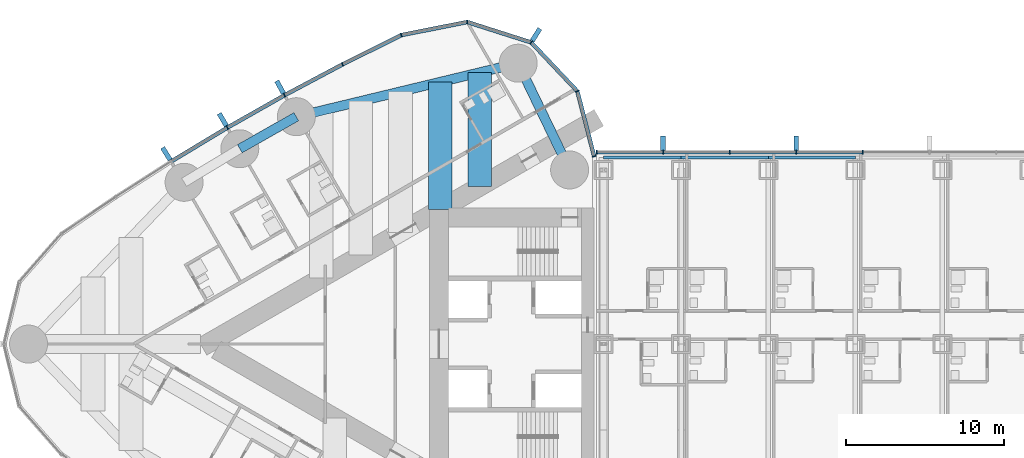
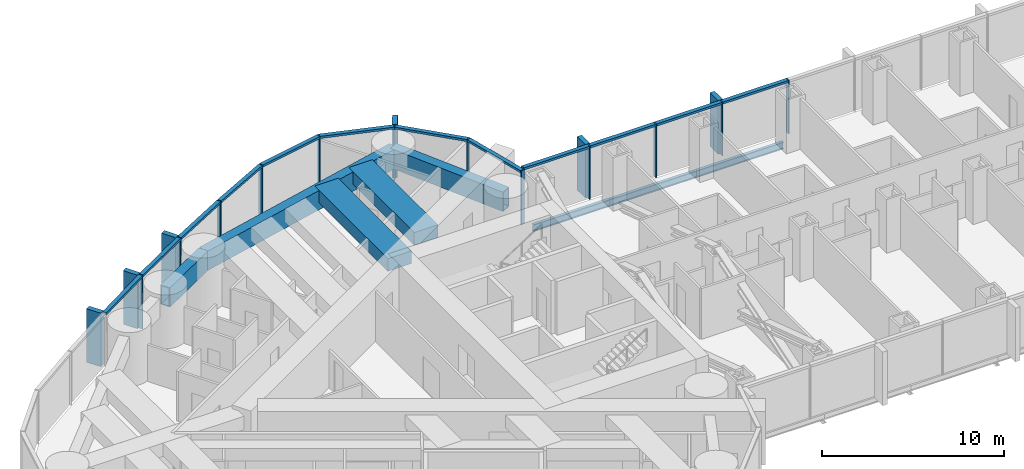
# One storey, part 5 of 23: 31 members, 8 beams, 2 elements without a shape of their own.
"""IFC4 building model written with IfcOpenShell, lengths in metres."""

import ifcopenshell
import ifcopenshell.guid

model = None  # the IFC model being written
_history = None  # IfcOwnerHistory: only IFC2X3 demands one
_inside = {}  # id of a spatial element -> (the spatial element, [elements in it])
_under = {}  # id of a project, library or spatial element -> (it, [spatial elements below it])
_declared = {}  # id of a project -> (the project, [libraries it declares])
_typed = {}  # id of a type object -> (the type object, [elements of that type])
_made_of = {}  # id of a material, layer set ... -> (it, [elements and type objects made of it])


def new_model(schema):
    """Start an empty IFC model of exactly this schema.

    Asked for "IFC4X3", IfcOpenShell would pick the latest addendum, in which some entities
    have other attributes; the version numbers below select the first issue.
    IFC2X3 requires an IfcOwnerHistory on every rooted entity: one is made here for all.
    """
    global model, _history
    if schema == "IFC4X3":
        model = ifcopenshell.file(schema_version=(4, 3, 0, 0))
    else:
        model = ifcopenshell.file(schema=schema)
    _inside.clear()
    _under.clear()
    _declared.clear()
    _typed.clear()
    _made_of.clear()
    _history = None
    if model.schema == "IFC2X3":
        org = make("IfcOrganization", Name="unknown")
        user = make(
            "IfcPersonAndOrganization",
            ThePerson=make("IfcPerson", FamilyName="unknown"),
            TheOrganization=org,
        )
        app = make(
            "IfcApplication",
            ApplicationDeveloper=org,
            Version="unknown",
            ApplicationFullName="unknown",
            ApplicationIdentifier="unknown",
        )
        _history = make(
            "IfcOwnerHistory",
            OwningUser=user,
            OwningApplication=app,
            ChangeAction="ADDED",
            CreationDate=0,
        )
    return model


def make(cls, **values):
    """One entity of the class cls with the attributes given. An attribute that is None is left unset."""
    return model.create_entity(
        cls, **{name: value for name, value in values.items() if value is not None}
    )


def rooted(cls, **values):
    """An entity with a GlobalId (a new one), such as an element, a storey or a relation."""
    return make(cls, GlobalId=ifcopenshell.guid.new(), OwnerHistory=_history, **values)


def si_unit(unit_type, name, prefix=None):
    """IfcSIUnit, for example si_unit("LENGTHUNIT", "METRE", prefix="MILLI")."""
    return make("IfcSIUnit", UnitType=unit_type, Prefix=prefix, Name=name)


def assignment(units):
    """IfcUnitAssignment: the units of a project."""
    return None if units is None else make("IfcUnitAssignment", Units=units)


def point(xyz):
    """IfcCartesianPoint."""
    return None if xyz is None else make("IfcCartesianPoint", Coordinates=xyz)


def direction(xyz):
    """IfcDirection."""
    return None if xyz is None else make("IfcDirection", DirectionRatios=xyz)


def frame(location, z_axis=None, x_axis=None):
    """IfcAxis2Placement3D, a coordinate frame: its origin and axes. An axis left out is left unset."""
    return make(
        "IfcAxis2Placement3D",
        Location=point(location),
        Axis=direction(z_axis),
        RefDirection=direction(x_axis),
    )


def frame_2d(location, x_axis=None):
    """IfcAxis2Placement2D, a coordinate frame in the plane: its origin and x axis."""
    return make(
        "IfcAxis2Placement2D", Location=point(location), RefDirection=direction(x_axis)
    )


def origin():
    """The frame at (0, 0, 0) with its axes left unset."""
    return frame((0.0, 0.0, 0.0))


def origin_2d():
    """The frame at (0, 0) in the plane with its x axis left unset."""
    return frame_2d((0.0, 0.0))


def place(relative_to, where):
    """IfcLocalPlacement: puts the frame where relative to a parent placement (None: the world)."""
    return make(
        "IfcLocalPlacement", PlacementRelTo=relative_to, RelativePlacement=where
    )


def context(
    kind, dimensions, precision=None, world=None, true_north=None, identifier=None
):
    """IfcGeometricRepresentationContext, for example the 3D "Model" context."""
    return make(
        "IfcGeometricRepresentationContext",
        ContextIdentifier=identifier,
        ContextType=kind,
        CoordinateSpaceDimension=dimensions,
        Precision=precision,
        WorldCoordinateSystem=world,
        TrueNorth=true_north,
    )


def subcontext(parent, identifier, kind, view, scale=None):
    """IfcGeometricRepresentationSubContext, for example "Body" below "Model"."""
    return make(
        "IfcGeometricRepresentationSubContext",
        ContextIdentifier=identifier,
        ContextType=kind,
        ParentContext=parent,
        TargetScale=scale,
        TargetView=view,
    )


def project(units=None, contexts=None):
    """IfcProject with its units and contexts."""
    return rooted(
        "IfcProject",
        Name="project",
        RepresentationContexts=contexts,
        UnitsInContext=assignment(units),
    )


def spatial(cls, under=None, at=None, **own):
    """A site, building, storey or space (cls), placed at a placement, below another one or the project."""
    s = rooted(cls, ObjectPlacement=at, **own)
    if under is not None:
        _under.setdefault(under.id(), (under, []))[1].append(s)
    return s


def profile(cls, at=None, kind="AREA", **sizes):
    """A parametric profile (cls). Its sizes go by their IFC names, for example OverallWidth=200.0."""
    return make(cls, ProfileType=kind, Position=at, **sizes)


def rectangle(**sizes):
    """IfcRectangleProfileDef."""
    return profile("IfcRectangleProfileDef", **sizes)


def hollow_rectangle(**sizes):
    """IfcRectangleHollowProfileDef."""
    return profile("IfcRectangleHollowProfileDef", **sizes)


def i_section(**sizes):
    """IfcIShapeProfileDef."""
    return profile("IfcIShapeProfileDef", **sizes)


def extrude(swept, where, along, depth):
    """IfcExtrudedAreaSolid: the profile swept, set in the frame where, extruded along a direction by depth."""
    return make(
        "IfcExtrudedAreaSolid",
        SweptArea=swept,
        Position=where,
        ExtrudedDirection=direction(along),
        Depth=depth,
    )


def shape(context_of_items, identifier, shape_type, items):
    """IfcShapeRepresentation: the items that make up one representation, for example the "Body"."""
    return make(
        "IfcShapeRepresentation",
        ContextOfItems=context_of_items,
        RepresentationIdentifier=identifier,
        RepresentationType=shape_type,
        Items=items,
    )


def material(Name=None, Category=None):
    """IfcMaterial."""
    return make("IfcMaterial", Name=Name, Category=Category)


def material_profile(
    of_material, cross_section, Name=None, Category=None, Priority=None
):
    """IfcMaterialProfile: a cross section and its material."""
    return make(
        "IfcMaterialProfile",
        Name=Name,
        Material=of_material,
        Profile=cross_section,
        Priority=Priority,
        Category=Category,
    )


def profile_set(profiles, Name=None, composite=None):
    """IfcMaterialProfileSet."""
    return make(
        "IfcMaterialProfileSet",
        Name=Name,
        MaterialProfiles=profiles,
        CompositeProfile=composite,
    )


def made_of(thing, what):
    """Note that an element or type object is made of a material, layer set ...; save() writes the relation."""
    if what is not None:
        _made_of.setdefault(what.id(), (what, []))[1].append(thing)
    return thing


def type_object(cls, material=None, **own):
    """A type object (cls), such as IfcWallType, which elements share."""
    return made_of(rooted(cls, **own), material)


def element(
    cls,
    number,
    at=None,
    inside=None,
    cuts=None,
    type_object=None,
    material=None,
    context=None,
    identifier="Body",
    shape_type=None,
    held_by="IfcProductDefinitionShape",
    body=None,
    shapes=None,
    **own,
):
    """One element of the class cls, such as IfcWall. Its Tag is "e" and its number.

    at: its placement. inside: the storey or other place that contains it. cuts: it is an
    opening in that element (IfcRelVoidsElement). A single representation is given by context,
    identifier, shape_type and body (its items); several are given by shapes. held_by: the class
    of the entity that holds the representations. save() writes the other relations.
    """
    e = rooted(cls, Tag="e%d" % number, ObjectPlacement=at, **own)
    if body is not None:
        shapes = [shape(context, identifier, shape_type, body)]
    if shapes is not None:
        e.Representation = make(held_by, Representations=shapes)
    if inside is not None:
        _inside.setdefault(inside.id(), (inside, []))[1].append(e)
    if cuts is not None:
        rooted(
            "IfcRelVoidsElement", RelatingBuildingElement=cuts, RelatedOpeningElement=e
        )
    if type_object is not None:
        _typed.setdefault(type_object.id(), (type_object, []))[1].append(e)
    return made_of(e, material)


def aggregate(whole, parts):
    """IfcRelAggregates: a whole, such as a stair, and the parts it consists of."""
    return rooted("IfcRelAggregates", RelatingObject=whole, RelatedObjects=parts)


def save(model, path):
    """Write the relations noted so far, then the file.

    IfcRelAggregates (storeys below a building ...), IfcRelContainedInSpatialStructure (elements
    in a storey), IfcRelDefinesByType, IfcRelAssociatesMaterial and IfcRelDeclares: one each for
    every whole, place, type object, material and project.
    """
    for whole, parts in _under.values():
        aggregate(whole, parts)
    for where, things in _inside.values():
        rooted(
            "IfcRelContainedInSpatialStructure",
            RelatedElements=things,
            RelatingStructure=where,
        )
    for kind, things in _typed.values():
        rooted("IfcRelDefinesByType", RelatedObjects=things, RelatingType=kind)
    for what, things in _made_of.values():
        rooted("IfcRelAssociatesMaterial", RelatedObjects=things, RelatingMaterial=what)
    for by, libraries in _declared.values():
        rooted("IfcRelDeclares", RelatingContext=by, RelatedDefinitions=libraries)
    model.write(path)


model = new_model("IFC4")

# Units and contexts
model_context = context("Model", 3, precision=1e-05, world=origin(), true_north=direction((0.0, 1.0)))
body_context = subcontext(model_context, "Body", "Model", "MODEL_VIEW")
ifc_project = project(units=[si_unit("LENGTHUNIT", "METRE"), si_unit("AREAUNIT", "SQUARE_METRE"), si_unit("VOLUMEUNIT", "CUBIC_METRE"), si_unit("PLANEANGLEUNIT", "RADIAN"), si_unit("MASSUNIT", "GRAM", prefix="KILO")], contexts=[model_context])

# Site, building, storey
site_placement = place(None, origin())
site = spatial("IfcSite", under=ifc_project, at=site_placement, CompositionType="ELEMENT")
building_placement = place(site_placement, origin())
building = spatial("IfcBuilding", under=site, at=building_placement, Name="Lancet Gate Hotel", CompositionType="ELEMENT")
storey_placement = place(building_placement, frame((0.0, 0.0, 215.300048828125)))
storey = spatial("IfcBuildingStorey", under=building, at=storey_placement, Name="L57", CompositionType="ELEMENT", Elevation=215.300048828125)

# Curtain wall, members
ifc_material_1 = material(Name="Aluminium curtain wall", Category="aluminium")
curtain_wall_type_1 = type_object("IfcCurtainWallType", Name="Tower unitised curtain wall", PredefinedType="USERDEFINED", material=ifc_material_1)
curtain_wall_1_placement = place(storey_placement, origin())
curtain_wall_1 = element("IfcCurtainWall", 1, at=curtain_wall_1_placement, inside=storey, type_object=curtain_wall_type_1, Name="T1 L57 curtain wall 1", ObjectType="UNITISED CURTAIN WALL", PredefinedType="USERDEFINED")
ifc_material_2 = material(Name="Aluminium mullion", Category="aluminium")
ifc_material_profile_1 = material_profile(ifc_material_2, rectangle(XDim=0.06494140625, YDim=0.25, at=origin_2d()), Name="MULLION 65x250")
ifc_profile_set_1 = profile_set([ifc_material_profile_1], Name="Aluminium mullion")
member_type_1 = type_object("IfcMemberType", Name="Aluminium mullion 65x250", PredefinedType="MULLION", material=ifc_profile_set_1)
member_1_placement = place(storey_placement, frame((-27.5, 11.861572265625, 0.0), z_axis=(0.0, 0.0, 1.0), x_axis=(-0.249725827997, 0.968316586056, 0.0)))
member_1 = element("IfcMember", 2, at=member_1_placement, type_object=member_type_1, Name="T1 L57 curtain wall 1 mullion 1", PredefinedType="MULLION", context=body_context, shape_type="SweptSolid", body=[
    extrude(rectangle(XDim=0.06494140625, YDim=0.25, at=origin_2d()), origin(), (0.0, 0.0, 1.0), 3.599853515625),
])
member_2_placement = place(storey_placement, frame((-28.56005859375, 15.97216796875, 0.0), z_axis=(0.0, 0.0, 1.0), x_axis=(-0.483627322447, 0.875274021654, 0.0)))
member_2 = element("IfcMember", 3, at=member_2_placement, type_object=member_type_1, Name="T1 L57 curtain wall 1 mullion 2", PredefinedType="MULLION", context=body_context, shape_type="SweptSolid", body=[
    extrude(rectangle(XDim=0.06494140625, YDim=0.25, at=origin_2d()), origin(), (0.0, 0.0, 1.0), 3.599853515625),
])
member_3_placement = place(storey_placement, frame((-31.476318359375, 19.0576171875, 0.0), z_axis=(0.0, 0.0, 1.0), x_axis=(-0.846612863, 0.532209225966, 0.0)))
member_3 = element("IfcMember", 4, at=member_3_placement, type_object=member_type_1, Name="T1 L57 curtain wall 1 mullion 3", PredefinedType="MULLION", context=body_context, shape_type="SweptSolid", body=[
    extrude(rectangle(XDim=0.06494140625, YDim=0.25, at=origin_2d()), origin(), (0.0, 0.0, 1.0), 3.599853515625),
])
member_4_placement = place(storey_placement, frame((-35.520751953125, 20.347900390625, 0.0), z_axis=(0.0, 0.0, 1.0), x_axis=(-0.998409168318, 0.056383797491, 0.0)))
member_4 = element("IfcMember", 5, at=member_4_placement, type_object=member_type_1, Name="T1 L57 curtain wall 1 mullion 4", PredefinedType="MULLION", context=body_context, shape_type="SweptSolid", body=[
    extrude(rectangle(XDim=0.06494140625, YDim=0.25, at=origin_2d()), origin(), (0.0, 0.0, 1.0), 3.599853515625),
])
member_5_placement = place(storey_placement, frame((-39.684814453125, 19.521240234375, 0.0), z_axis=(0.0, 0.0, 1.0), x_axis=(-0.946887706423, -0.321564412561, 0.0)))
member_5 = element("IfcMember", 6, at=member_5_placement, type_object=member_type_1, Name="T1 L57 curtain wall 1 mullion 5", PredefinedType="MULLION", context=body_context, shape_type="SweptSolid", body=[
    extrude(rectangle(XDim=0.06494140625, YDim=0.25, at=origin_2d()), origin(), (0.0, 0.0, 1.0), 3.599853515625),
])
member_6_placement = place(storey_placement, frame((-43.3994140625, 17.67236328125, 0.0), z_axis=(0.0, 0.0, 1.0), x_axis=(-0.889155526065, -0.457605125046, 0.0)))
member_6 = element("IfcMember", 7, at=member_6_placement, type_object=member_type_1, Name="T1 L57 curtain wall 1 mullion 6", PredefinedType="MULLION", context=body_context, shape_type="SweptSolid", body=[
    extrude(rectangle(XDim=0.06494140625, YDim=0.25, at=origin_2d()), origin(), (0.0, 0.0, 1.0), 3.599853515625),
])
member_7_placement = place(storey_placement, frame((-47.062744140625, 15.72412109375, 0.0), z_axis=(0.0, 0.0, 1.0), x_axis=(-0.876516407283, -0.481371984815, 0.0)))
member_7 = element("IfcMember", 8, at=member_7_placement, type_object=member_type_1, Name="T1 L57 curtain wall 1 mullion 7", PredefinedType="MULLION", context=body_context, shape_type="SweptSolid", body=[
    extrude(rectangle(XDim=0.06494140625, YDim=0.25, at=origin_2d()), origin(), (0.0, 0.0, 1.0), 3.599853515625),
])
member_8_placement = place(storey_placement, frame((-50.67236328125, 13.677978515625, 0.0), z_axis=(0.0, 0.0, 1.0), x_axis=(-0.863242155108, -0.504790037189, 0.0)))
member_8 = element("IfcMember", 9, at=member_8_placement, type_object=member_type_1, Name="T1 L57 curtain wall 1 mullion 8", PredefinedType="MULLION", context=body_context, shape_type="SweptSolid", body=[
    extrude(rectangle(XDim=0.06494140625, YDim=0.25, at=origin_2d()), origin(), (0.0, 0.0, 1.0), 3.599853515625),
])

ifc_material_3 = material(Name="Aluminium curtain wall", Category="aluminium")
curtain_wall_type_2 = type_object("IfcCurtainWallType", Name="Bridge block curtain wall", PredefinedType="USERDEFINED", material=ifc_material_3)
curtain_wall_2_placement = place(storey_placement, origin())
curtain_wall_2 = element("IfcCurtainWall", 10, at=curtain_wall_2_placement, inside=storey, type_object=curtain_wall_type_2, Name="Bridge block L57 curtain wall N", ObjectType="UNITISED CURTAIN WALL", PredefinedType="USERDEFINED")
member_9_placement = place(storey_placement, frame((-10.519287109375, 12.1201171875, 0.0), z_axis=(0.0, 0.0, 1.0), x_axis=(-1.0, 0.0, 0.0)))
member_9 = element("IfcMember", 11, at=member_9_placement, type_object=member_type_1, Name="Bridge block L57 curtain wall N mullion 10", PredefinedType="MULLION", context=body_context, shape_type="SweptSolid", body=[
    extrude(rectangle(XDim=0.06494140625, YDim=0.25, at=origin_2d()), origin(), (0.0, 0.0, 1.0), 3.599853515625),
])
member_10_placement = place(storey_placement, frame((-14.726806640625, 12.1201171875, 0.0), z_axis=(0.0, 0.0, 1.0), x_axis=(-1.0, 0.0, 0.0)))
member_10 = element("IfcMember", 12, at=member_10_placement, type_object=member_type_1, Name="Bridge block L57 curtain wall N mullion 11", PredefinedType="MULLION", context=body_context, shape_type="SweptSolid", body=[
    extrude(rectangle(XDim=0.06494140625, YDim=0.25, at=origin_2d()), origin(), (0.0, 0.0, 1.0), 3.599853515625),
])
member_11_placement = place(storey_placement, frame((-18.9345703125, 12.1201171875, 0.0), z_axis=(0.0, 0.0, 1.0), x_axis=(-1.0, 0.0, 0.0)))
member_11 = element("IfcMember", 13, at=member_11_placement, type_object=member_type_1, Name="Bridge block L57 curtain wall N mullion 12", PredefinedType="MULLION", context=body_context, shape_type="SweptSolid", body=[
    extrude(rectangle(XDim=0.06494140625, YDim=0.25, at=origin_2d()), origin(), (0.0, 0.0, 1.0), 3.599853515625),
])
member_12_placement = place(storey_placement, frame((-23.142333984375, 12.1201171875, 0.0), z_axis=(0.0, 0.0, 1.0), x_axis=(-1.0, 0.0, 0.0)))
member_12 = element("IfcMember", 14, at=member_12_placement, type_object=member_type_1, Name="Bridge block L57 curtain wall N mullion 13", PredefinedType="MULLION", context=body_context, shape_type="SweptSolid", body=[
    extrude(rectangle(XDim=0.06494140625, YDim=0.25, at=origin_2d()), origin(), (0.0, 0.0, 1.0), 3.599853515625),
])
member_13_placement = place(storey_placement, frame((-27.35009765625, 12.1201171875, 0.0), z_axis=(0.0, 0.0, 1.0), x_axis=(-1.0, 0.0, 0.0)))
member_13 = element("IfcMember", 15, at=member_13_placement, type_object=member_type_1, Name="Bridge block L57 curtain wall N mullion 14", PredefinedType="MULLION", context=body_context, shape_type="SweptSolid", body=[
    extrude(rectangle(XDim=0.06494140625, YDim=0.25, at=origin_2d()), origin(), (0.0, 0.0, 1.0), 3.599853515625),
])

# Member
ifc_material_4 = material(Name="Aluminium transom", Category="aluminium")
ifc_material_profile_2 = material_profile(ifc_material_4, rectangle(XDim=0.25, YDim=0.14990234375, at=origin_2d()), Name="TRANSOM 250x150")
ifc_profile_set_2 = profile_set([ifc_material_profile_2], Name="Aluminium transom")
member_type_2 = type_object("IfcMemberType", Name="Aluminium transom 250x150", PredefinedType="USERDEFINED", material=ifc_profile_set_2)
member_14_placement = place(storey_placement, frame((-27.508056640625, 11.892822265625, 3.52490234375), z_axis=(-0.249715522936, 0.968319243641, 0.0), x_axis=(-0.968319243641, -0.249715522936, 0.0)))
member_14 = element("IfcMember", 16, at=member_14_placement, type_object=member_type_2, Name="T1 L57 curtain wall 1 transom 1", ObjectType="TRANSOM", PredefinedType="USERDEFINED", context=body_context, shape_type="SweptSolid", body=[
    extrude(rectangle(XDim=0.25, YDim=0.14990234375, at=origin_2d()), origin(), (0.0, 0.0, 1.0), 4.180419921875),
])

member_15_placement = place(storey_placement, frame((-28.58251953125, 15.995849609375, 3.52490234375), z_axis=(-0.686880731091, 0.726770157103, 0.0), x_axis=(-0.726770157103, -0.686880731091, 0.0)))
member_15 = element("IfcMember", 17, at=member_15_placement, type_object=member_type_2, Name="T1 L57 curtain wall 1 transom 2", ObjectType="TRANSOM", PredefinedType="USERDEFINED", context=body_context, shape_type="SweptSolid", body=[
    extrude(rectangle(XDim=0.25, YDim=0.14990234375, at=origin_2d()), origin(), (0.0, 0.0, 1.0), 4.18017578125),
])

member_16_placement = place(storey_placement, frame((-31.507080078125, 19.067626953125, 3.52490234375), z_axis=(-0.952697713775, 0.303919506068, 0.0), x_axis=(-0.303919506068, -0.952697713775, 0.0)))
member_16 = element("IfcMember", 18, at=member_16_placement, type_object=member_type_2, Name="T1 L57 curtain wall 1 transom 3", ObjectType="TRANSOM", PredefinedType="USERDEFINED", context=body_context, shape_type="SweptSolid", body=[
    extrude(rectangle(XDim=0.25, YDim=0.14990234375, at=origin_2d()), origin(), (0.0, 0.0, 1.0), 4.180419921875),
])

member_17_placement = place(storey_placement, frame((-35.552734375, 20.341552734375, 3.52490234375), z_axis=(-0.980858234867, -0.194723196085, 0.0), x_axis=(0.194723196085, -0.980858234867, 0.0)))
member_17 = element("IfcMember", 19, at=member_17_placement, type_object=member_type_2, Name="T1 L57 curtain wall 1 transom 4", ObjectType="TRANSOM", PredefinedType="USERDEFINED", context=body_context, shape_type="SweptSolid", body=[
    extrude(rectangle(XDim=0.25, YDim=0.14990234375, at=origin_2d()), origin(), (0.0, 0.0, 1.0), 4.18017578125),
])

member_18_placement = place(storey_placement, frame((-39.7138671875, 19.5068359375, 3.52490234375), z_axis=(-0.895226720479, -0.445610950202, 0.0), x_axis=(0.445610950202, -0.895226720479, 0.0)))
member_18 = element("IfcMember", 20, at=member_18_placement, type_object=member_type_2, Name="T1 L57 curtain wall 1 transom 5", ObjectType="TRANSOM", PredefinedType="USERDEFINED", context=body_context, shape_type="SweptSolid", body=[
    extrude(rectangle(XDim=0.25, YDim=0.14990234375, at=origin_2d()), origin(), (0.0, 0.0, 1.0), 4.08447265625),
])

member_19_placement = place(storey_placement, frame((-43.427978515625, 17.656982421875, 3.52490234375), z_axis=(-0.882944619844, -0.469477154171, 0.0), x_axis=(0.469477154171, -0.882944619844, 0.0)))
member_19 = element("IfcMember", 21, at=member_19_placement, type_object=member_type_2, Name="T1 L57 curtain wall 1 transom 6", ObjectType="TRANSOM", PredefinedType="USERDEFINED", context=body_context, shape_type="SweptSolid", body=[
    extrude(rectangle(XDim=0.25, YDim=0.14990234375, at=origin_2d()), origin(), (0.0, 0.0, 1.0), 4.084228515625),
])

member_20_placement = place(storey_placement, frame((-47.091064453125, 15.7080078125, 3.52490234375), z_axis=(-0.869977740049, -0.493090997503, 0.0), x_axis=(0.493090997503, -0.869977740049, 0.0)))
member_20 = element("IfcMember", 22, at=member_20_placement, type_object=member_type_2, Name="T1 L57 curtain wall 1 transom 7", ObjectType="TRANSOM", PredefinedType="USERDEFINED", context=body_context, shape_type="SweptSolid", body=[
    extrude(rectangle(XDim=0.25, YDim=0.14990234375, at=origin_2d()), origin(), (0.0, 0.0, 1.0), 4.084228515625),
])

member_21_placement = place(storey_placement, frame((-50.7001953125, 13.661376953125, 3.52490234375), z_axis=(-0.856362214892, -0.516375596737, 0.0), x_axis=(0.516375596737, -0.856362214892, 0.0)))
member_21 = element("IfcMember", 23, at=member_21_placement, type_object=member_type_2, Name="T1 L57 curtain wall 1 transom 8", ObjectType="TRANSOM", PredefinedType="USERDEFINED", context=body_context, shape_type="SweptSolid", body=[
    extrude(rectangle(XDim=0.25, YDim=0.14990234375, at=origin_2d()), origin(), (0.0, 0.0, 1.0), 4.08447265625),
])

member_22_placement = place(storey_placement, frame((-10.5517578125, 12.1201171875, 3.52490234375), z_axis=(-1.0, 0.0, 0.0), x_axis=(0.0, -1.0, 0.0)))
member_22 = element("IfcMember", 24, at=member_22_placement, type_object=member_type_2, Name="Bridge block L57 curtain wall N transom 10", ObjectType="TRANSOM", PredefinedType="USERDEFINED", context=body_context, shape_type="SweptSolid", body=[
    extrude(rectangle(XDim=0.25, YDim=0.14990234375, at=origin_2d()), origin(), (0.0, 0.0, 1.0), 4.142578125),
])

member_23_placement = place(storey_placement, frame((-14.759521484375, 12.1201171875, 3.52490234375), z_axis=(-1.0, 0.0, 0.0), x_axis=(0.0, -1.0, 0.0)))
member_23 = element("IfcMember", 25, at=member_23_placement, type_object=member_type_2, Name="Bridge block L57 curtain wall N transom 11", ObjectType="TRANSOM", PredefinedType="USERDEFINED", context=body_context, shape_type="SweptSolid", body=[
    extrude(rectangle(XDim=0.25, YDim=0.14990234375, at=origin_2d()), origin(), (0.0, 0.0, 1.0), 4.142578125),
])

member_24_placement = place(storey_placement, frame((-18.967041015625, 12.1201171875, 3.52490234375), z_axis=(-1.0, 0.0, 0.0), x_axis=(0.0, -1.0, 0.0)))
member_24 = element("IfcMember", 26, at=member_24_placement, type_object=member_type_2, Name="Bridge block L57 curtain wall N transom 12", ObjectType="TRANSOM", PredefinedType="USERDEFINED", context=body_context, shape_type="SweptSolid", body=[
    extrude(rectangle(XDim=0.25, YDim=0.14990234375, at=origin_2d()), origin(), (0.0, 0.0, 1.0), 4.142822265625),
])

member_25_placement = place(storey_placement, frame((-23.1748046875, 12.1201171875, 3.52490234375), z_axis=(-1.0, 0.0, 0.0), x_axis=(0.0, -1.0, 0.0)))
member_25 = element("IfcMember", 27, at=member_25_placement, type_object=member_type_2, Name="Bridge block L57 curtain wall N transom 13", ObjectType="TRANSOM", PredefinedType="USERDEFINED", context=body_context, shape_type="SweptSolid", body=[
    extrude(rectangle(XDim=0.25, YDim=0.14990234375, at=origin_2d()), origin(), (0.0, 0.0, 1.0), 4.142578125),
])

# Beams
ifc_material_5 = material(Name="Steel S355", Category="steel")
ifc_material_profile_3 = material_profile(ifc_material_5, i_section(OverallWidth=0.19140625, OverallDepth=0.4599609375, WebThickness=0.010009765625, FlangeThickness=0.01611328125, FilletRadius=0.01025390625, at=origin_2d()), Name="UKB 457x191x82")
ifc_profile_set_3 = profile_set([ifc_material_profile_3], Name="Steel S355")
beam_type_1 = type_object("IfcBeamType", Name="Block edge beam UKB 457x191x82", PredefinedType="SPANDREL", material=ifc_profile_set_3)
beam_1_placement = place(storey_placement, frame((-26.89990234375, 11.800048828125, -0.429931640625), z_axis=(1.0, 0.0, 0.0), x_axis=(0.0, 1.0, 0.0)))
element("IfcBeam", 28, at=beam_1_placement, inside=storey, type_object=beam_type_1, Name="Block edge beam N 0-1 L57", PredefinedType="SPANDREL", context=body_context, shape_type="SweptSolid", body=[
    extrude(i_section(OverallWidth=0.19140625, OverallDepth=0.4599609375, WebThickness=0.010009765625, FlangeThickness=0.01611328125, FilletRadius=0.01025390625, at=origin_2d()), origin(), (0.0, 0.0, 1.0), 4.89990234375),
])
for number, where, z_axis, x_axis, name in (
    (29, (-22.0, 11.800048828125, -0.429931640625), (1.0, 0.0, 0.0), (0.0, 1.0, 0.0), "Block edge beam N 1-2 L57"),
    (30, (-16.5, 11.800048828125, -0.429931640625), (1.0, 0.0, 0.0), (0.0, 1.0, 0.0), "Block edge beam N 2-3 L57"),
):
    element("IfcBeam", number, at=place(storey_placement, frame(where, z_axis=z_axis, x_axis=x_axis)), inside=storey, type_object=beam_type_1, Name=name, PredefinedType="SPANDREL", context=body_context, shape_type="SweptSolid", body=[
        extrude(i_section(OverallWidth=0.19140625, OverallDepth=0.4599609375, WebThickness=0.010009765625, FlangeThickness=0.01611328125, FilletRadius=0.01025390625, at=origin_2d()), origin(), (0.0, 0.0, 1.0), 5.5),
    ])
ifc_material_6 = material(Name="Steel S460QL", Category="steel")
ifc_material_profile_4 = material_profile(ifc_material_6, hollow_rectangle(XDim=0.60009765625, YDim=1.300048828125, WallThickness=0.050048828125, at=origin_2d()), Name="BOX 1300x600x50")
ifc_profile_set_4 = profile_set([ifc_material_profile_4], Name="Steel S460QL")
beam_type_2 = type_object("IfcBeamType", Name="Edge beam BOX 1300x600x50", PredefinedType="SPANDREL", material=ifc_profile_set_4)
beam_2_placement = place(storey_placement, frame((-32.301025390625, 17.745361328125, 2.699951171875), z_axis=(-0.972132796948, -0.234430853556, 0.0), x_axis=(0.234430853556, -0.972132796948, 0.0)))
element("IfcBeam", 31, at=beam_2_placement, inside=storey, type_object=beam_type_2, Name="T1 edge beam EB2 L57", PredefinedType="SPANDREL", context=body_context, shape_type="SweptSolid", body=[
    extrude(hollow_rectangle(XDim=0.60009765625, YDim=1.300048828125, WallThickness=0.050048828125, at=origin_2d()), origin(), (0.0, 0.0, 1.0), 14.41748046875),
])
beam_3_placement = place(storey_placement, frame((-46.316650390625, 14.365478515625, 2.699951171875), z_axis=(-0.869978841992, -0.493089053301, 0.0), x_axis=(0.493089053301, -0.869978841992, 0.0)))
element("IfcBeam", 32, at=beam_3_placement, inside=storey, type_object=beam_type_2, Name="T1 edge beam EB2 L57", PredefinedType="SPANDREL", context=body_context, shape_type="SweptSolid", body=[
    extrude(hollow_rectangle(XDim=0.60009765625, YDim=1.300048828125, WallThickness=0.050048828125, at=origin_2d()), origin(), (0.0, 0.0, 1.0), 4.107666015625),
])
beam_4_placement = place(storey_placement, frame((-32.301025390625, 17.745361328125, 2.699951171875), z_axis=(0.434163599361, -0.900834040759, 0.0), x_axis=(0.900834040759, 0.434163599361, 0.0)))
element("IfcBeam", 33, at=beam_4_placement, inside=storey, type_object=beam_type_2, Name="T1 edge beam EB2 L57", PredefinedType="SPANDREL", context=body_context, shape_type="SweptSolid", body=[
    extrude(hollow_rectangle(XDim=0.60009765625, YDim=1.300048828125, WallThickness=0.050048828125, at=origin_2d()), origin(), (0.0, 0.0, 1.0), 7.48779296875),
])

# Member
ifc_material_7 = material(Name="Precast concrete C50/60", Category="concrete")
ifc_material_profile_5 = material_profile(ifc_material_7, rectangle(XDim=0.300048828125, YDim=0.89990234375, at=origin_2d()), Name="FIN 300x900")
ifc_profile_set_5 = profile_set([ifc_material_profile_5], Name="Precast concrete C50/60")
member_type_3 = type_object("IfcMemberType", Name="Exposed concrete fin 300x900", PredefinedType="USERDEFINED", material=ifc_profile_set_5)
member_26_placement = place(storey_placement, frame((-31.170166015625, 19.54443359375, 0.0), z_axis=(0.0, 0.0, 1.0), x_axis=(-0.846612863, 0.532209225966, 0.0)))
member_26 = element("IfcMember", 34, at=member_26_placement, type_object=member_type_3, Name="T1 L57 curtain wall 1 fin 3", ObjectType="FIN", PredefinedType="USERDEFINED", context=body_context, shape_type="SweptSolid", body=[
    extrude(rectangle(XDim=0.300048828125, YDim=0.89990234375, at=origin_2d()), origin(), (0.0, 0.0, 1.0), 3.599853515625),
])

member_27_placement = place(storey_placement, frame((-47.339599609375, 16.22802734375, 0.0), z_axis=(0.0, 0.0, 1.0), x_axis=(-0.876516407283, -0.481371984815, 0.0)))
member_27 = element("IfcMember", 35, at=member_27_placement, type_object=member_type_3, Name="T1 L57 curtain wall 1 fin 7", ObjectType="FIN", PredefinedType="USERDEFINED", context=body_context, shape_type="SweptSolid", body=[
    extrude(rectangle(XDim=0.300048828125, YDim=0.89990234375, at=origin_2d()), origin(), (0.0, 0.0, 1.0), 3.599853515625),
])

member_28_placement = place(storey_placement, frame((-50.962646484375, 14.17431640625, 0.0), z_axis=(0.0, 0.0, 1.0), x_axis=(-0.863242155108, -0.504790037189, 0.0)))
member_28 = element("IfcMember", 36, at=member_28_placement, type_object=member_type_3, Name="T1 L57 curtain wall 1 fin 8", ObjectType="FIN", PredefinedType="USERDEFINED", context=body_context, shape_type="SweptSolid", body=[
    extrude(rectangle(XDim=0.300048828125, YDim=0.89990234375, at=origin_2d()), origin(), (0.0, 0.0, 1.0), 3.599853515625),
])

member_29_placement = place(storey_placement, frame((-54.529296875, 12.02392578125, 0.0), z_axis=(0.0, 0.0, 1.0), x_axis=(-0.849342388216, -0.527842313176, 0.0)))
member_29 = element("IfcMember", 37, at=member_29_placement, type_object=member_type_3, Name="T1 L57 curtain wall 1 fin 9", ObjectType="FIN", PredefinedType="USERDEFINED", context=body_context, shape_type="SweptSolid", body=[
    extrude(rectangle(XDim=0.300048828125, YDim=0.89990234375, at=origin_2d()), origin(), (0.0, 0.0, 1.0), 3.599853515625),
])

aggregate(curtain_wall_1, [member_1, member_2, member_3, member_26, member_4, member_5, member_6, member_7, member_27, member_8, member_28, member_29, member_14, member_15, member_16, member_17, member_18, member_19, member_20, member_21])

member_30_placement = place(storey_placement, frame((-14.726806640625, 12.695068359375, 0.0), z_axis=(0.0, 0.0, 1.0), x_axis=(-1.0, 0.0, 0.0)))
member_30 = element("IfcMember", 38, at=member_30_placement, type_object=member_type_3, Name="Bridge block L57 curtain wall N fin 11", ObjectType="FIN", PredefinedType="USERDEFINED", context=body_context, shape_type="SweptSolid", body=[
    extrude(rectangle(XDim=0.300048828125, YDim=0.89990234375, at=origin_2d()), origin(), (0.0, 0.0, 1.0), 3.599853515625),
])

member_31_placement = place(storey_placement, frame((-23.142333984375, 12.695068359375, 0.0), z_axis=(0.0, 0.0, 1.0), x_axis=(-1.0, 0.0, 0.0)))
member_31 = element("IfcMember", 39, at=member_31_placement, type_object=member_type_3, Name="Bridge block L57 curtain wall N fin 13", ObjectType="FIN", PredefinedType="USERDEFINED", context=body_context, shape_type="SweptSolid", body=[
    extrude(rectangle(XDim=0.300048828125, YDim=0.89990234375, at=origin_2d()), origin(), (0.0, 0.0, 1.0), 3.599853515625),
])

aggregate(curtain_wall_2, [member_9, member_10, member_30, member_11, member_12, member_31, member_13, member_22, member_23, member_24, member_25])

# Beams
ifc_material_8 = material(Name="Concrete C50/60", Category="concrete")
ifc_material_profile_6 = material_profile(ifc_material_8, rectangle(XDim=1.5, YDim=0.85009765625, at=origin_2d()), Name="RC 1500x850")
ifc_profile_set_6 = profile_set([ifc_material_profile_6], Name="Concrete C50/60")
beam_type_3 = type_object("IfcBeamType", Name="Floor beam RC 1500x850", PredefinedType="BEAM", material=ifc_profile_set_6)
beam_5_placement = place(storey_placement, frame((-34.720458984375, 17.161865234375, 2.925048828125), z_axis=(0.0, -1.0, 0.0), x_axis=(1.0, 0.0, 0.0)))
element("IfcBeam", 40, at=beam_5_placement, inside=storey, type_object=beam_type_3, Name="T1 floor beam F02S L57", PredefinedType="BEAM", context=body_context, shape_type="SweptSolid", body=[
    extrude(rectangle(XDim=1.5, YDim=0.85009765625, at=origin_2d()), origin(), (0.0, 0.0, 1.0), 7.203857421875),
])
beam_6_placement = place(storey_placement, frame((-37.227294921875, 16.557373046875, 2.925048828125), z_axis=(0.0, -1.0, 0.0), x_axis=(1.0, 0.0, 0.0)))
element("IfcBeam", 41, at=beam_6_placement, inside=storey, type_object=beam_type_3, Name="T1 floor beam F03S L57", PredefinedType="BEAM", context=body_context, shape_type="SweptSolid", body=[
    extrude(rectangle(XDim=1.5, YDim=0.85009765625, at=origin_2d()), origin(), (0.0, 0.0, 1.0), 8.046630859375),
])

save(model, "model.ifc")
